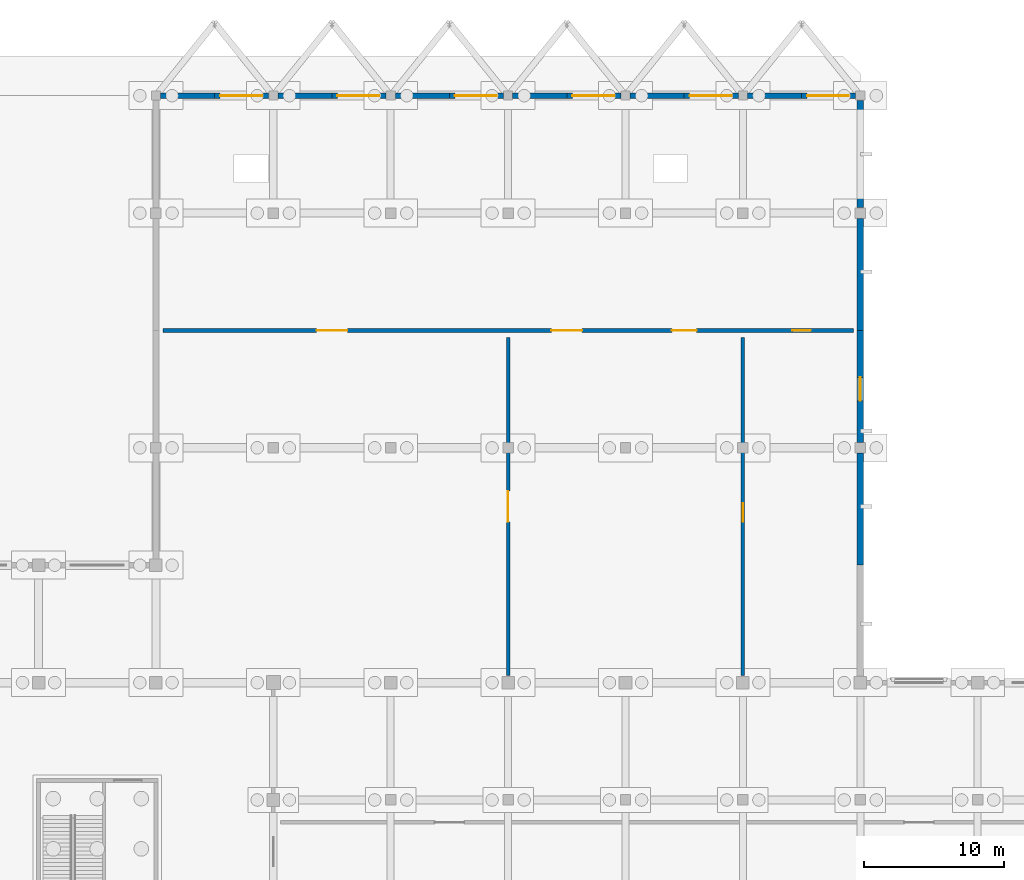
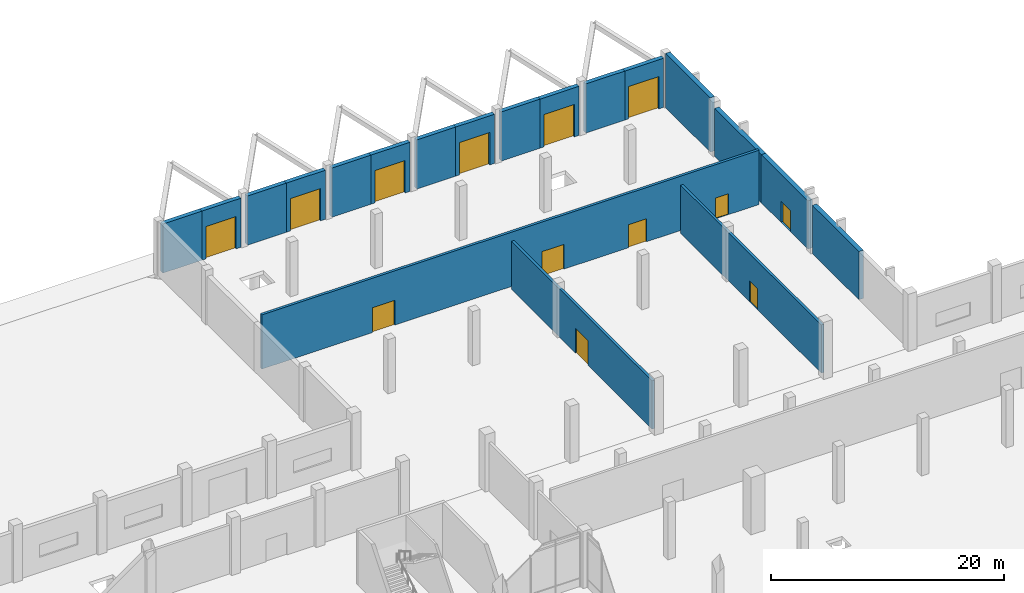
# One storey, part 62 of 72: 19 walls, 13 doors, 13 openings.
"""IFC4 building model written with IfcOpenShell, lengths in metres."""

from ifc_helpers import new_model, si_unit, direction, frame, frame_2d, origin, place, context, subcontext, project, spatial, rectangle, extrude, material, layer, layer_set, type_object, element, fill, save


model = new_model("IFC4")

# Units and contexts
model_context = context("Model", 3, precision=1e-05, world=origin(), true_north=direction((0.0, 1.0)))
body_context = subcontext(model_context, "Body", "Model", "MODEL_VIEW")
ifc_project = project(units=[si_unit("LENGTHUNIT", "METRE"), si_unit("AREAUNIT", "SQUARE_METRE"), si_unit("VOLUMEUNIT", "CUBIC_METRE"), si_unit("PLANEANGLEUNIT", "RADIAN"), si_unit("MASSUNIT", "GRAM", prefix="KILO")], contexts=[model_context])

# Site, building, storey
site_placement = place(None, origin())
site = spatial("IfcSite", under=ifc_project, at=site_placement, CompositionType="ELEMENT")
building_placement = place(site_placement, origin())
building = spatial("IfcBuilding", under=site, at=building_placement, Name="Qawsi Khor Wholesale Market", CompositionType="ELEMENT")
storey_placement = place(building_placement, origin())
storey = spatial("IfcBuildingStorey", under=building, at=storey_placement, Name="L00", CompositionType="ELEMENT", Elevation=0.0)

# Wall
ifc_material_1 = material(Name="Concrete C40/50", Category="concrete")
ifc_layer_1 = layer(ifc_material_1, 0.409912109375, Name="Concrete C40/50")
ifc_layer_set_1 = layer_set([ifc_layer_1], Name="Concrete C40/50")
wall_type_1 = type_object("IfcWallType", Name="Cold-Store Dock Apron Wall 410", PredefinedType="SOLIDWALL", material=ifc_layer_set_1)
wall_1_placement = place(storey_placement, frame((134.72998046875, 151.199951171875, 0.0), z_axis=(0.0, 0.0, 1.0), x_axis=(1.0, 0.0, 0.0)))
element("IfcWall", 1, at=wall_1_placement, inside=storey, type_object=wall_type_1, Name="EW-L00-NEC-DCK-13", PredefinedType="SOLIDWALL", context=body_context, shape_type="SweptSolid", body=[
    extrude(rectangle(XDim=3.8701171875, YDim=0.409912109375, at=frame_2d((1.93505859375, 0.0))), origin(), (0.0, 0.0, 1.0), 5.159912109375),
])

# Wall, opening, door
wall_2_placement = place(storey_placement, frame((138.60009765625, 151.199951171875, 0.0), z_axis=(0.0, 0.0, 1.0), x_axis=(1.0, 0.0, 0.0)))
wall_2 = element("IfcWall", 2, at=wall_2_placement, inside=storey, type_object=wall_type_1, Name="EW-L00-NEC-DCK-14", PredefinedType="SOLIDWALL", context=body_context, shape_type="SweptSolid", body=[
    extrude(rectangle(XDim=3.869873046875, YDim=0.409912109375, at=frame_2d((1.93505859375, 0.0))), origin(), (0.0, 0.0, 1.0), 5.159912109375),
])
opening_1_placement = place(wall_2_placement, frame((0.389892578125, 0.0, 0.0)))
opening_1 = element("IfcOpeningElement", 3, at=opening_1_placement, cuts=wall_2, Name="Opening DD-02", PredefinedType="OPENING", context=body_context, shape_type="SweptSolid", body=[
    extrude(rectangle(XDim=3.0, YDim=3.39990234375, at=frame_2d((1.5, 1.699951171875))), frame((0.0, 0.21484375, 0.0), z_axis=(0.0, -1.0, 0.0), x_axis=(1.0, 0.0, 0.0)), (0.0, 0.0, 1.0), 0.429931640625),
])
ifc_material_2 = material(Name="Powder-Coated Galvanised Steel & Glazing", Category="steel")
door_type_1 = type_object("IfcDoorType", Name="Cold-Store Rapid Dock Door 3000x3400", OperationType="NOTDEFINED", PredefinedType="DOOR", material=ifc_material_2)
door_1_placement = place(opening_1_placement, origin())
door_1 = element("IfcDoor", 4, at=door_1_placement, inside=storey, type_object=door_type_1, Name="Loading dock door NEC-14", OperationType="SLIDING_TO_RIGHT", OverallHeight=3.39990234375, OverallWidth=3.0, PredefinedType="DOOR", context=body_context, shape_type="SweptSolid", body=[
    extrude(rectangle(XDim=3.0, YDim=3.39990234375, at=frame_2d((1.5, 1.699951171875))), frame((0.0, 0.02490234375, 0.0), z_axis=(0.0, -1.0, 0.0), x_axis=(1.0, 0.0, 0.0)), (0.0, 0.0, 1.0), 0.050048828125),
])
fill(opening_1, door_1)

# Wall
wall_3_placement = place(storey_placement, frame((143.1298828125, 151.199951171875, 0.0), z_axis=(0.0, 0.0, 1.0), x_axis=(1.0, 0.0, 0.0)))
element("IfcWall", 5, at=wall_3_placement, inside=storey, type_object=wall_type_1, Name="EW-L00-NEC-DCK-15", PredefinedType="SOLIDWALL", context=body_context, shape_type="SweptSolid", body=[
    extrude(rectangle(XDim=3.8701171875, YDim=0.409912109375, at=frame_2d((1.93505859375, 0.0))), origin(), (0.0, 0.0, 1.0), 5.159912109375),
])

# Wall, opening, door
wall_4_placement = place(storey_placement, frame((147.0, 151.199951171875, 0.0), z_axis=(0.0, 0.0, 1.0), x_axis=(1.0, 0.0, 0.0)))
wall_4 = element("IfcWall", 6, at=wall_4_placement, inside=storey, type_object=wall_type_1, Name="EW-L00-NEC-DCK-16", PredefinedType="SOLIDWALL", context=body_context, shape_type="SweptSolid", body=[
    extrude(rectangle(XDim=3.8701171875, YDim=0.409912109375, at=frame_2d((1.93505859375, 0.0))), origin(), (0.0, 0.0, 1.0), 5.159912109375),
])
opening_2_placement = place(wall_4_placement, frame((0.389892578125, 0.0, 0.0)))
opening_2 = element("IfcOpeningElement", 7, at=opening_2_placement, cuts=wall_4, Name="Opening DD-02", PredefinedType="OPENING", context=body_context, shape_type="SweptSolid", body=[
    extrude(rectangle(XDim=3.0, YDim=3.39990234375, at=frame_2d((1.5, 1.699951171875))), frame((0.0, 0.21484375, 0.0), z_axis=(0.0, -1.0, 0.0), x_axis=(1.0, 0.0, 0.0)), (0.0, 0.0, 1.0), 0.429931640625),
])
door_2_placement = place(opening_2_placement, origin())
door_2 = element("IfcDoor", 8, at=door_2_placement, inside=storey, type_object=door_type_1, Name="Loading dock door NEC-16", OperationType="SLIDING_TO_RIGHT", OverallHeight=3.39990234375, OverallWidth=3.0, PredefinedType="DOOR", context=body_context, shape_type="SweptSolid", body=[
    extrude(rectangle(XDim=3.0, YDim=3.39990234375, at=frame_2d((1.5, 1.699951171875))), frame((0.0, 0.02490234375, 0.0), z_axis=(0.0, -1.0, 0.0), x_axis=(1.0, 0.0, 0.0)), (0.0, 0.0, 1.0), 0.050048828125),
])
fill(opening_2, door_2)

# Wall
wall_5_placement = place(storey_placement, frame((151.530029296875, 151.199951171875, 0.0), z_axis=(0.0, 0.0, 1.0), x_axis=(1.0, 0.0, 0.0)))
element("IfcWall", 9, at=wall_5_placement, inside=storey, type_object=wall_type_1, Name="EW-L00-NEC-DCK-17", PredefinedType="SOLIDWALL", context=body_context, shape_type="SweptSolid", body=[
    extrude(rectangle(XDim=3.869873046875, YDim=0.409912109375, at=frame_2d((1.93505859375, 0.0))), origin(), (0.0, 0.0, 1.0), 5.159912109375),
])

# Wall, opening, door
wall_6_placement = place(storey_placement, frame((155.39990234375, 151.199951171875, 0.0), z_axis=(0.0, 0.0, 1.0), x_axis=(1.0, 0.0, 0.0)))
wall_6 = element("IfcWall", 10, at=wall_6_placement, inside=storey, type_object=wall_type_1, Name="EW-L00-NEC-DCK-18", PredefinedType="SOLIDWALL", context=body_context, shape_type="SweptSolid", body=[
    extrude(rectangle(XDim=3.8701171875, YDim=0.409912109375, at=frame_2d((1.93505859375, 0.0))), origin(), (0.0, 0.0, 1.0), 5.159912109375),
])
opening_3_placement = place(wall_6_placement, frame((0.389892578125, 0.0, 0.0)))
opening_3 = element("IfcOpeningElement", 11, at=opening_3_placement, cuts=wall_6, Name="Opening DD-02", PredefinedType="OPENING", context=body_context, shape_type="SweptSolid", body=[
    extrude(rectangle(XDim=3.0, YDim=3.39990234375, at=frame_2d((1.5, 1.699951171875))), frame((0.0, 0.21484375, 0.0), z_axis=(0.0, -1.0, 0.0), x_axis=(1.0, 0.0, 0.0)), (0.0, 0.0, 1.0), 0.429931640625),
])
door_3_placement = place(opening_3_placement, origin())
door_3 = element("IfcDoor", 12, at=door_3_placement, inside=storey, type_object=door_type_1, Name="Loading dock door NEC-18", OperationType="SLIDING_TO_RIGHT", OverallHeight=3.39990234375, OverallWidth=3.0, PredefinedType="DOOR", context=body_context, shape_type="SweptSolid", body=[
    extrude(rectangle(XDim=3.0, YDim=3.39990234375, at=frame_2d((1.5, 1.699951171875))), frame((0.0, 0.02490234375, 0.0), z_axis=(0.0, -1.0, 0.0), x_axis=(1.0, 0.0, 0.0)), (0.0, 0.0, 1.0), 0.050048828125),
])
fill(opening_3, door_3)

# Wall
wall_7_placement = place(storey_placement, frame((159.929931640625, 151.199951171875, 0.0), z_axis=(0.0, 0.0, 1.0), x_axis=(1.0, 0.0, 0.0)))
element("IfcWall", 13, at=wall_7_placement, inside=storey, type_object=wall_type_1, Name="EW-L00-NEC-DCK-19", PredefinedType="SOLIDWALL", context=body_context, shape_type="SweptSolid", body=[
    extrude(rectangle(XDim=3.8701171875, YDim=0.409912109375, at=frame_2d((1.93505859375, 0.0))), origin(), (0.0, 0.0, 1.0), 5.159912109375),
])

# Wall, opening, door
wall_8_placement = place(storey_placement, frame((163.800048828125, 151.199951171875, 0.0), z_axis=(0.0, 0.0, 1.0), x_axis=(1.0, 0.0, 0.0)))
wall_8 = element("IfcWall", 14, at=wall_8_placement, inside=storey, type_object=wall_type_1, Name="EW-L00-NEC-DCK-20", PredefinedType="SOLIDWALL", context=body_context, shape_type="SweptSolid", body=[
    extrude(rectangle(XDim=3.869873046875, YDim=0.409912109375, at=frame_2d((1.93505859375, 0.0))), origin(), (0.0, 0.0, 1.0), 5.159912109375),
])
opening_4_placement = place(wall_8_placement, frame((0.389892578125, 0.0, 0.0)))
opening_4 = element("IfcOpeningElement", 15, at=opening_4_placement, cuts=wall_8, Name="Opening DD-02", PredefinedType="OPENING", context=body_context, shape_type="SweptSolid", body=[
    extrude(rectangle(XDim=3.0, YDim=3.39990234375, at=frame_2d((1.5, 1.699951171875))), frame((0.0, 0.21484375, 0.0), z_axis=(0.0, -1.0, 0.0), x_axis=(1.0, 0.0, 0.0)), (0.0, 0.0, 1.0), 0.429931640625),
])
door_4_placement = place(opening_4_placement, origin())
door_4 = element("IfcDoor", 16, at=door_4_placement, inside=storey, type_object=door_type_1, Name="Loading dock door NEC-20", OperationType="SLIDING_TO_RIGHT", OverallHeight=3.39990234375, OverallWidth=3.0, PredefinedType="DOOR", context=body_context, shape_type="SweptSolid", body=[
    extrude(rectangle(XDim=3.0, YDim=3.39990234375, at=frame_2d((1.5, 1.699951171875))), frame((0.0, 0.02490234375, 0.0), z_axis=(0.0, -1.0, 0.0), x_axis=(1.0, 0.0, 0.0)), (0.0, 0.0, 1.0), 0.050048828125),
])
fill(opening_4, door_4)

# Wall
wall_9_placement = place(storey_placement, frame((168.330078125, 151.199951171875, 0.0), z_axis=(0.0, 0.0, 1.0), x_axis=(1.0, 0.0, 0.0)))
element("IfcWall", 17, at=wall_9_placement, inside=storey, type_object=wall_type_1, Name="EW-L00-NEC-DCK-21", PredefinedType="SOLIDWALL", context=body_context, shape_type="SweptSolid", body=[
    extrude(rectangle(XDim=3.869873046875, YDim=0.409912109375, at=frame_2d((1.93505859375, 0.0))), origin(), (0.0, 0.0, 1.0), 5.159912109375),
])

# Wall, opening, door
wall_10_placement = place(storey_placement, frame((172.199951171875, 151.199951171875, 0.0), z_axis=(0.0, 0.0, 1.0), x_axis=(1.0, 0.0, 0.0)))
wall_10 = element("IfcWall", 18, at=wall_10_placement, inside=storey, type_object=wall_type_1, Name="EW-L00-NEC-DCK-22", PredefinedType="SOLIDWALL", context=body_context, shape_type="SweptSolid", body=[
    extrude(rectangle(XDim=3.8701171875, YDim=0.409912109375, at=frame_2d((1.93505859375, 0.0))), origin(), (0.0, 0.0, 1.0), 5.159912109375),
])
opening_5_placement = place(wall_10_placement, frame((0.389892578125, 0.0, 0.0)))
opening_5 = element("IfcOpeningElement", 19, at=opening_5_placement, cuts=wall_10, Name="Opening DD-02", PredefinedType="OPENING", context=body_context, shape_type="SweptSolid", body=[
    extrude(rectangle(XDim=3.0, YDim=3.39990234375, at=frame_2d((1.5, 1.699951171875))), frame((0.0, 0.21484375, 0.0), z_axis=(0.0, -1.0, 0.0), x_axis=(1.0, 0.0, 0.0)), (0.0, 0.0, 1.0), 0.429931640625),
])
door_5_placement = place(opening_5_placement, origin())
door_5 = element("IfcDoor", 20, at=door_5_placement, inside=storey, type_object=door_type_1, Name="Loading dock door NEC-22", OperationType="SLIDING_TO_RIGHT", OverallHeight=3.39990234375, OverallWidth=3.0, PredefinedType="DOOR", context=body_context, shape_type="SweptSolid", body=[
    extrude(rectangle(XDim=3.0, YDim=3.39990234375, at=frame_2d((1.5, 1.699951171875))), frame((0.0, 0.02490234375, 0.0), z_axis=(0.0, -1.0, 0.0), x_axis=(1.0, 0.0, 0.0)), (0.0, 0.0, 1.0), 0.050048828125),
])
fill(opening_5, door_5)

# Wall
wall_11_placement = place(storey_placement, frame((176.72998046875, 151.199951171875, 0.0), z_axis=(0.0, 0.0, 1.0), x_axis=(1.0, 0.0, 0.0)))
element("IfcWall", 21, at=wall_11_placement, inside=storey, type_object=wall_type_1, Name="EW-L00-NEC-DCK-23", PredefinedType="SOLIDWALL", context=body_context, shape_type="SweptSolid", body=[
    extrude(rectangle(XDim=3.8701171875, YDim=0.409912109375, at=frame_2d((1.93505859375, 0.0))), origin(), (0.0, 0.0, 1.0), 5.159912109375),
])

# Wall, opening, door
wall_12_placement = place(storey_placement, frame((180.60009765625, 151.199951171875, 0.0), z_axis=(0.0, 0.0, 1.0), x_axis=(1.0, 0.0, 0.0)))
wall_12 = element("IfcWall", 22, at=wall_12_placement, inside=storey, type_object=wall_type_1, Name="EW-L00-NEC-DCK-24", PredefinedType="SOLIDWALL", context=body_context, shape_type="SweptSolid", body=[
    extrude(rectangle(XDim=3.869873046875, YDim=0.409912109375, at=frame_2d((1.93505859375, 0.0))), origin(), (0.0, 0.0, 1.0), 5.159912109375),
])
opening_6_placement = place(wall_12_placement, frame((0.389892578125, 0.0, 0.0)))
opening_6 = element("IfcOpeningElement", 23, at=opening_6_placement, cuts=wall_12, Name="Opening DD-02", PredefinedType="OPENING", context=body_context, shape_type="SweptSolid", body=[
    extrude(rectangle(XDim=3.0, YDim=3.39990234375, at=frame_2d((1.5, 1.699951171875))), frame((0.0, 0.21484375, 0.0), z_axis=(0.0, -1.0, 0.0), x_axis=(1.0, 0.0, 0.0)), (0.0, 0.0, 1.0), 0.429931640625),
])
door_6_placement = place(opening_6_placement, origin())
door_6 = element("IfcDoor", 24, at=door_6_placement, inside=storey, type_object=door_type_1, Name="Loading dock door NEC-24", OperationType="SLIDING_TO_RIGHT", OverallHeight=3.39990234375, OverallWidth=3.0, PredefinedType="DOOR", context=body_context, shape_type="SweptSolid", body=[
    extrude(rectangle(XDim=3.0, YDim=3.39990234375, at=frame_2d((1.5, 1.699951171875))), frame((0.0, 0.02490234375, 0.0), z_axis=(0.0, -1.0, 0.0), x_axis=(1.0, 0.0, 0.0)), (0.0, 0.0, 1.0), 0.050048828125),
])
fill(opening_6, door_6)

# Wall, openings, doors
ifc_material_3 = material(Name="PIR-Insulated Precast Concrete C40/50", Category="concrete")
ifc_layer_2 = layer(ifc_material_3, 0.260009765625, Name="PIR-Insulated Precast Concrete C40/50")
ifc_layer_set_2 = layer_set([ifc_layer_2], Name="PIR-Insulated Precast Concrete C40/50")
wall_type_2 = type_object("IfcWallType", Name="Cold-Store Insulated Chamber Wall 260", PredefinedType="SOLIDWALL", material=ifc_layer_set_2)
wall_13_placement = place(storey_placement, frame((134.89990234375, 134.39990234375, 0.0), z_axis=(0.0, 0.0, 1.0), x_axis=(1.0, 0.0, 0.0)))
wall_13 = element("IfcWall", 25, at=wall_13_placement, inside=storey, type_object=wall_type_2, Name="PW-L00-004", PredefinedType="SOLIDWALL", context=body_context, shape_type="SweptSolid", body=[
    extrude(rectangle(XDim=49.400146484375, YDim=0.260009765625, at=frame_2d((24.7001953125, 0.0))), origin(), (0.0, 0.0, 1.0), 5.699951171875),
])
opening_7_placement = place(wall_13_placement, frame((11.0, 0.0, 0.0)))
opening_7 = element("IfcOpeningElement", 26, at=opening_7_placement, cuts=wall_13, Name="Opening ID-04", PredefinedType="OPENING", context=body_context, shape_type="SweptSolid", body=[
    extrude(rectangle(XDim=2.199951171875, YDim=2.60009765625, at=frame_2d((1.10009765625, 1.300048828125))), frame((0.0, 0.139892578125, 0.0), z_axis=(0.0, -1.0, 0.0), x_axis=(1.0, 0.0, 0.0)), (0.0, 0.0, 1.0), 0.280029296875),
])
opening_8_placement = place(wall_13_placement, frame((27.800048828125, 0.0, 0.0)))
opening_8 = element("IfcOpeningElement", 27, at=opening_8_placement, cuts=wall_13, Name="Opening ID-04", PredefinedType="OPENING", context=body_context, shape_type="SweptSolid", body=[
    extrude(rectangle(XDim=2.199951171875, YDim=2.60009765625, at=frame_2d((1.10009765625, 1.300048828125))), frame((0.0, 0.139892578125, 0.0), z_axis=(0.0, -1.0, 0.0), x_axis=(1.0, 0.0, 0.0)), (0.0, 0.0, 1.0), 0.280029296875),
])
opening_9_placement = place(wall_13_placement, frame((36.409912109375, 0.0, 0.0)))
opening_9 = element("IfcOpeningElement", 28, at=opening_9_placement, cuts=wall_13, Name="Opening ID-05", PredefinedType="OPENING", context=body_context, shape_type="SweptSolid", body=[
    extrude(rectangle(XDim=1.780029296875, YDim=2.419921875, at=frame_2d((0.89013671875, 1.2099609375))), frame((0.0, 0.139892578125, 0.0), z_axis=(0.0, -1.0, 0.0), x_axis=(1.0, 0.0, 0.0)), (0.0, 0.0, 1.0), 0.280029296875),
])
opening_10_placement = place(wall_13_placement, frame((45.0400390625, 0.0, 0.0)))
opening_10 = element("IfcOpeningElement", 29, at=opening_10_placement, cuts=wall_13, Name="Opening ID-13", PredefinedType="OPENING", context=body_context, shape_type="SweptSolid", body=[
    extrude(rectangle(XDim=1.320068359375, YDim=2.199951171875, at=frame_2d((0.66015625, 1.10009765625))), frame((0.0, 0.139892578125, 0.0), z_axis=(0.0, -1.0, 0.0), x_axis=(1.0, 0.0, 0.0)), (0.0, 0.0, 1.0), 0.280029296875),
])
ifc_material_4 = material(Name="Insulated Stainless Steel", Category="steel")
door_type_2 = type_object("IfcDoorType", Name="Cold-Store Insulated Sliding Door 2200x2600 FD60S", OperationType="NOTDEFINED", PredefinedType="DOOR", material=ifc_material_4)
door_7_placement = place(opening_7_placement, origin())
door_7 = element("IfcDoor", 30, at=door_7_placement, inside=storey, type_object=door_type_2, Name="Cold-Store Insulated Sliding Door 2200x2600 FD60S L00-007", OperationType="SLIDING_TO_LEFT", OverallHeight=2.60009765625, OverallWidth=2.199951171875, PredefinedType="DOOR", context=body_context, shape_type="SweptSolid", body=[
    extrude(rectangle(XDim=2.199951171875, YDim=2.60009765625, at=frame_2d((1.10009765625, 1.300048828125))), frame((0.0, 0.02490234375, 0.0), z_axis=(0.0, -1.0, 0.0), x_axis=(1.0, 0.0, 0.0)), (0.0, 0.0, 1.0), 0.050048828125),
])
fill(opening_7, door_7)
door_8_placement = place(opening_8_placement, origin())
door_8 = element("IfcDoor", 31, at=door_8_placement, inside=storey, type_object=door_type_2, Name="Cold-Store Insulated Sliding Door 2200x2600 FD60S L00-008", OperationType="SLIDING_TO_RIGHT", OverallHeight=2.60009765625, OverallWidth=2.199951171875, PredefinedType="DOOR", context=body_context, shape_type="SweptSolid", body=[
    extrude(rectangle(XDim=2.199951171875, YDim=2.60009765625, at=frame_2d((1.10009765625, 1.300048828125))), frame((0.0, 0.02490234375, 0.0), z_axis=(0.0, -1.0, 0.0), x_axis=(1.0, 0.0, 0.0)), (0.0, 0.0, 1.0), 0.050048828125),
])
fill(opening_8, door_8)
ifc_material_5 = material(Name="Galvanised Steel Fire Door", Category="steel")
door_type_3 = type_object("IfcDoorType", Name="Plant & Riser Fire Door 1320x2200 FD90S", OperationType="NOTDEFINED", PredefinedType="DOOR", material=ifc_material_5)
door_9_placement = place(opening_10_placement, origin())
door_9 = element("IfcDoor", 32, at=door_9_placement, inside=storey, type_object=door_type_3, Name="Plant & Riser Fire Door 1320x2200 FD90S L00-010", OperationType="SINGLE_SWING_RIGHT", OverallHeight=2.199951171875, OverallWidth=1.320068359375, PredefinedType="DOOR", context=body_context, shape_type="SweptSolid", body=[
    extrude(rectangle(XDim=1.320068359375, YDim=2.199951171875, at=frame_2d((0.66015625, 1.10009765625))), frame((0.0, 0.02490234375, 0.0), z_axis=(0.0, -1.0, 0.0), x_axis=(1.0, 0.0, 0.0)), (0.0, 0.0, 1.0), 0.050048828125),
])
fill(opening_10, door_9)
door_type_4 = type_object("IfcDoorType", Name="Ripening Room Gas-Tight Door 1780x2420 FD60S", OperationType="NOTDEFINED", PredefinedType="DOOR", material=ifc_material_4)
door_10_placement = place(opening_9_placement, origin())
door_10 = element("IfcDoor", 33, at=door_10_placement, inside=storey, type_object=door_type_4, Name="Ripening Room Gas-Tight Door 1780x2420 FD60S L00-009", OperationType="SINGLE_SWING_LEFT", OverallHeight=2.419921875, OverallWidth=1.780029296875, PredefinedType="DOOR", context=body_context, shape_type="SweptSolid", body=[
    extrude(rectangle(XDim=1.780029296875, YDim=2.419921875, at=frame_2d((0.89013671875, 1.2099609375))), frame((0.0, 0.02490234375, 0.0), z_axis=(0.0, -1.0, 0.0), x_axis=(1.0, 0.0, 0.0)), (0.0, 0.0, 1.0), 0.050048828125),
])
fill(opening_9, door_10)

# Wall, opening, door
wall_14_placement = place(storey_placement, frame((159.60009765625, 109.699951171875, 0.0), z_axis=(0.0, 0.0, 1.0), x_axis=(0.0, 1.0, 0.0)))
wall_14 = element("IfcWall", 34, at=wall_14_placement, inside=storey, type_object=wall_type_2, Name="PW-L00-005", PredefinedType="SOLIDWALL", context=body_context, shape_type="SweptSolid", body=[
    extrude(rectangle(XDim=24.199951171875, YDim=0.260009765625, at=frame_2d((12.10009765625, 0.0))), origin(), (0.0, 0.0, 1.0), 5.06005859375),
])
opening_11_placement = place(wall_14_placement, frame((11.0, 0.0, 0.0)))
opening_11 = element("IfcOpeningElement", 35, at=opening_11_placement, cuts=wall_14, Name="Opening ID-04", PredefinedType="OPENING", context=body_context, shape_type="SweptSolid", body=[
    extrude(rectangle(XDim=2.199951171875, YDim=2.60009765625, at=frame_2d((1.10009765625, 1.300048828125))), frame((0.0, 0.139892578125, 0.0), z_axis=(0.0, -1.0, 0.0), x_axis=(1.0, 0.0, 0.0)), (0.0, 0.0, 1.0), 0.280029296875),
])
door_11_placement = place(opening_11_placement, origin())
door_11 = element("IfcDoor", 36, at=door_11_placement, inside=storey, type_object=door_type_2, Name="Cold-Store Insulated Sliding Door 2200x2600 FD60S L00-011", OperationType="SLIDING_TO_LEFT", OverallHeight=2.60009765625, OverallWidth=2.199951171875, PredefinedType="DOOR", context=body_context, shape_type="SweptSolid", body=[
    extrude(rectangle(XDim=2.199951171875, YDim=2.60009765625, at=frame_2d((1.10009765625, 1.300048828125))), frame((0.0, 0.02490234375, 0.0), z_axis=(0.0, -1.0, 0.0), x_axis=(1.0, 0.0, 0.0)), (0.0, 0.0, 1.0), 0.050048828125),
])
fill(opening_11, door_11)

# Wall
ifc_layer_3 = layer(ifc_material_1, 0.449951171875, Name="Concrete C40/50")
ifc_layer_set_3 = layer_set([ifc_layer_3], Name="Concrete C40/50")
wall_type_3 = type_object("IfcWallType", Name="Cold-Store Thermal Sandwich Concrete Wall 450", PredefinedType="SOLIDWALL", material=ifc_layer_set_3)
wall_15_placement = place(storey_placement, frame((184.800048828125, 125.6201171875, 0.0), z_axis=(0.0, 0.0, 1.0), x_axis=(0.0, -1.0, 0.0)))
element("IfcWall", 37, at=wall_15_placement, inside=storey, type_object=wall_type_3, Name="EW-L00-NEC-OUT-14", PredefinedType="SOLIDWALL", context=body_context, shape_type="SweptSolid", body=[
    extrude(rectangle(XDim=8.02001953125, YDim=0.449951171875, at=frame_2d((4.010009765625, 0.0))), origin(), (0.0, 0.0, 1.0), 5.06005859375),
])

# Wall, opening, door
wall_16_placement = place(storey_placement, frame((184.800048828125, 134.39990234375, 0.0), z_axis=(0.0, 0.0, 1.0), x_axis=(0.0, -1.0, 0.0)))
wall_16 = element("IfcWall", 38, at=wall_16_placement, inside=storey, type_object=wall_type_3, Name="EW-L00-NEC-OUT-15", PredefinedType="SOLIDWALL", context=body_context, shape_type="SweptSolid", body=[
    extrude(rectangle(XDim=8.02001953125, YDim=0.449951171875, at=frame_2d((4.010009765625, 0.0))), origin(), (0.0, 0.0, 1.0), 5.06005859375),
])
opening_12_placement = place(wall_16_placement, frame((3.360107421875, 0.0, 0.0)))
opening_12 = element("IfcOpeningElement", 39, at=opening_12_placement, cuts=wall_16, Name="Opening ED-08", PredefinedType="OPENING", context=body_context, shape_type="SweptSolid", body=[
    extrude(rectangle(XDim=1.679931640625, YDim=2.239990234375, at=frame_2d((0.83984375, 1.1201171875))), frame((0.0, 0.23486328125, 0.0), z_axis=(0.0, -1.0, 0.0), x_axis=(1.0, 0.0, 0.0)), (0.0, 0.0, 1.0), 0.469970703125),
])
door_type_5 = type_object("IfcDoorType", Name="Plant & Substation Louvred Double Door 1680x2240 FD90S", OperationType="NOTDEFINED", PredefinedType="DOOR", material=ifc_material_2)
door_12_placement = place(opening_12_placement, origin())
door_12 = element("IfcDoor", 40, at=door_12_placement, inside=storey, type_object=door_type_5, Name="NEC Plant Exit Door", OperationType="DOUBLE_DOOR_SINGLE_SWING", OverallHeight=2.239990234375, OverallWidth=1.679931640625, PredefinedType="DOOR", context=body_context, shape_type="SweptSolid", body=[
    extrude(rectangle(XDim=1.679931640625, YDim=2.239990234375, at=frame_2d((0.83984375, 1.1201171875))), frame((0.0, 0.02490234375, 0.0), z_axis=(0.0, -1.0, 0.0), x_axis=(1.0, 0.0, 0.0)), (0.0, 0.0, 1.0), 0.050048828125),
])
fill(opening_12, door_12)

# Walls
wall_17_placement = place(storey_placement, frame((184.800048828125, 142.419921875, 0.0), z_axis=(0.0, 0.0, 1.0), x_axis=(0.0, -1.0, 0.0)))
element("IfcWall", 41, at=wall_17_placement, inside=storey, type_object=wall_type_3, Name="EW-L00-NEC-OUT-16", PredefinedType="SOLIDWALL", context=body_context, shape_type="SweptSolid", body=[
    extrude(rectangle(XDim=8.02001953125, YDim=0.449951171875, at=frame_2d((4.010009765625, 0.0))), origin(), (0.0, 0.0, 1.0), 5.06005859375),
])
wall_18_placement = place(storey_placement, frame((184.800048828125, 150.8701171875, 0.0), z_axis=(0.0, 0.0, 1.0), x_axis=(0.0, -1.0, 0.0)))
element("IfcWall", 42, at=wall_18_placement, inside=storey, type_object=wall_type_3, Name="EW-L00-NEC-OUT-17", PredefinedType="SOLIDWALL", context=body_context, shape_type="SweptSolid", body=[
    extrude(rectangle(XDim=7.690185546875, YDim=0.449951171875, at=frame_2d((3.84521484375, 0.0))), origin(), (0.0, 0.0, 1.0), 5.699951171875),
])

# Wall, opening, door
ifc_material_6 = material(Name="Concrete Blockwork & Plaster", Category="masonry")
ifc_layer_4 = layer(ifc_material_6, 0.25, Name="Concrete Blockwork & Plaster")
ifc_layer_set_4 = layer_set([ifc_layer_4], Name="Concrete Blockwork & Plaster")
wall_type_4 = type_object("IfcWallType", Name="Fire Compartment Masonry Wall 250", PredefinedType="SOLIDWALL", material=ifc_layer_set_4)
wall_19_placement = place(storey_placement, frame((176.39990234375, 109.699951171875, 0.0), z_axis=(0.0, 0.0, 1.0), x_axis=(0.0, 1.0, 0.0)))
wall_19 = element("IfcWall", 43, at=wall_19_placement, inside=storey, type_object=wall_type_4, Name="PW-L00-006", PredefinedType="SOLIDWALL", context=body_context, shape_type="SweptSolid", body=[
    extrude(rectangle(XDim=24.199951171875, YDim=0.25, at=frame_2d((12.10009765625, 0.0))), origin(), (0.0, 0.0, 1.0), 5.06005859375),
])
opening_13_placement = place(wall_19_placement, frame((11.0, 0.0, 0.0)))
opening_13 = element("IfcOpeningElement", 44, at=opening_13_placement, cuts=wall_19, Name="Opening ID-13", PredefinedType="OPENING", context=body_context, shape_type="SweptSolid", body=[
    extrude(rectangle(XDim=1.320068359375, YDim=2.199951171875, at=frame_2d((0.66015625, 1.10009765625))), frame((0.0, 0.135009765625, 0.0), z_axis=(0.0, -1.0, 0.0), x_axis=(1.0, 0.0, 0.0)), (0.0, 0.0, 1.0), 0.27001953125),
])
door_13_placement = place(opening_13_placement, origin())
door_13 = element("IfcDoor", 45, at=door_13_placement, inside=storey, type_object=door_type_3, Name="Plant & Riser Fire Door 1320x2200 FD90S L00-012", OperationType="SINGLE_SWING_RIGHT", OverallHeight=2.199951171875, OverallWidth=1.320068359375, PredefinedType="DOOR", context=body_context, shape_type="SweptSolid", body=[
    extrude(rectangle(XDim=1.320068359375, YDim=2.199951171875, at=frame_2d((0.66015625, 1.10009765625))), frame((0.0, 0.02490234375, 0.0), z_axis=(0.0, -1.0, 0.0), x_axis=(1.0, 0.0, 0.0)), (0.0, 0.0, 1.0), 0.050048828125),
])
fill(opening_13, door_13)

save(model, "model.ifc")
